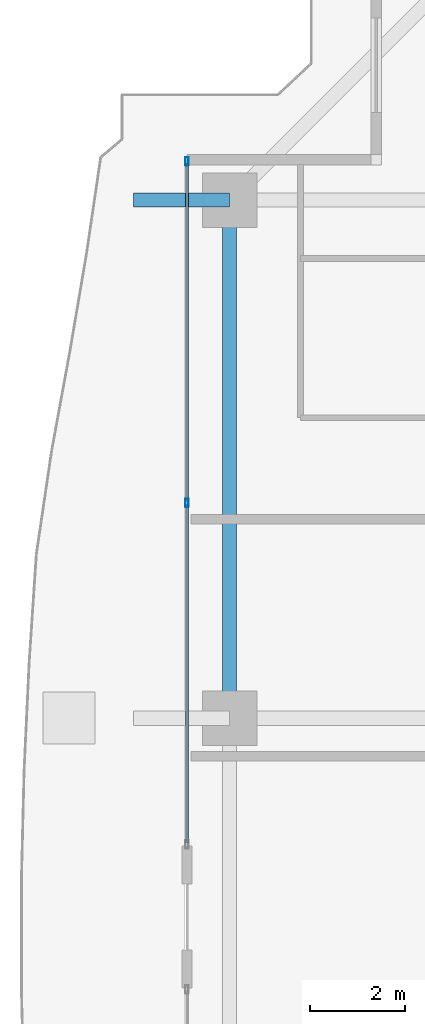
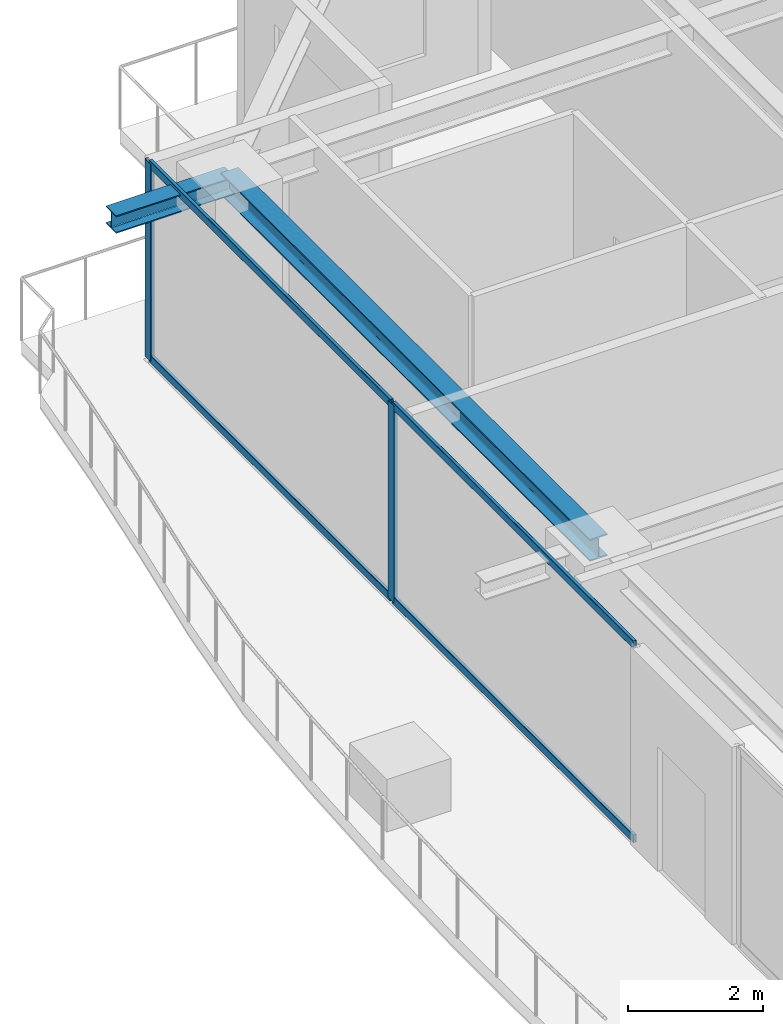
# One storey, part 17 of 36: 6 members, 2 beams, 1 element without a shape of its own.
"""IFC4 building model written with IfcOpenShell, lengths in metres."""

from ifc_helpers import new_model, si_unit, direction, frame, origin, origin_2d, place, context, subcontext, project, spatial, hollow_rectangle, i_section, extrude, source, transform, mapped, material, layer, layer_set, material_profile, profile_set, type_object, element, aggregate, save


model = new_model("IFC4")

# Units and contexts
model_context = context("Model", 3, precision=1e-05, world=origin(), true_north=direction((0.0, 1.0)))
body_context = subcontext(model_context, "Body", "Model", "MODEL_VIEW")
ifc_project = project(units=[si_unit("LENGTHUNIT", "METRE"), si_unit("AREAUNIT", "SQUARE_METRE"), si_unit("VOLUMEUNIT", "CUBIC_METRE"), si_unit("PLANEANGLEUNIT", "RADIAN"), si_unit("MASSUNIT", "GRAM", prefix="KILO")], contexts=[model_context])

# Site, building, storey
site_placement = place(None, origin())
site = spatial("IfcSite", under=ifc_project, at=site_placement, CompositionType="ELEMENT")
building_placement = place(site_placement, origin())
building = spatial("IfcBuilding", under=site, at=building_placement, Name="Serunith Strait Residences", CompositionType="ELEMENT")
storey_placement = place(building_placement, frame((0.0, 0.0, 256.64990234375)))
storey = spatial("IfcBuildingStorey", under=building, at=storey_placement, Name="L64", CompositionType="ELEMENT", Elevation=256.64990234375)

# Beams
ifc_material_1 = material(Name="Steel S355J2", Category="steel")
ifc_material_profile_1 = material_profile(ifc_material_1, i_section(OverallWidth=0.300048828125, OverallDepth=0.39990234375, WebThickness=0.013427734375, FlangeThickness=0.02392578125, FilletRadius=0.027099609375, at=origin_2d()), Name="HEB 400")
ifc_profile_set_1 = profile_set([ifc_material_profile_1], Name="Steel S355J2")
beam_type_1 = type_object("IfcBeamType", Name="BM-HEB400", PredefinedType="BEAM", material=ifc_profile_set_1)
shared_shape_1 = source(origin(), body_context, "Body", "SweptSolid", [
    extrude(i_section(OverallWidth=0.300048828125, OverallDepth=0.39990234375, WebThickness=0.013427734375, FlangeThickness=0.02392578125, FilletRadius=0.027099609375, at=origin_2d()), origin(), (0.0, 0.0, 1.0), 10.9501953125),
])
beam_1_placement = place(storey_placement, frame((8.300048828125, 40.35009765625, 3.38720703125), z_axis=(0.0, -1.0, 0.0), x_axis=(1.0, 0.0, 0.0)))
element("IfcBeam", 1, at=beam_1_placement, inside=storey, type_object=beam_type_1, Name="L64 Perimeter Ring Beam 13", PredefinedType="BEAM", context=body_context, shape_type="MappedRepresentation", body=[
    mapped(shared_shape_1, transform((0.0, 0.0, 0.0), scale=1.0)),
])
ifc_material_profile_2 = material_profile(ifc_material_1, i_section(OverallWidth=0.300048828125, OverallDepth=0.320068359375, WebThickness=0.011474609375, FlangeThickness=0.0205078125, FilletRadius=0.027099609375, at=origin_2d()), Name="HEB 320")
ifc_profile_set_2 = profile_set([ifc_material_profile_2], Name="Steel S355J2")
beam_type_2 = type_object("IfcBeamType", Name="BM-HEB320", PredefinedType="BEAM", material=ifc_profile_set_2)
shared_shape_2 = source(origin(), body_context, "Body", "SweptSolid", [
    extrude(i_section(OverallWidth=0.300048828125, OverallDepth=0.320068359375, WebThickness=0.011474609375, FlangeThickness=0.0205078125, FilletRadius=0.027099609375, at=origin_2d()), origin(), (0.0, 0.0, 1.0), 2.030029296875),
])
beam_2_placement = place(storey_placement, frame((8.300048828125, 40.35009765625, 3.397216796875), z_axis=(-1.0, 0.0, 0.0), x_axis=(0.0, -1.0, 0.0)))
element("IfcBeam", 2, at=beam_2_placement, inside=storey, type_object=beam_type_2, Name="L65 Cantilevered Balcony Rib TC-W4", PredefinedType="BEAM", context=body_context, shape_type="MappedRepresentation", body=[
    mapped(shared_shape_2, transform((0.0, 0.0, 0.0), scale=1.0)),
])

# Curtain wall, members
ifc_material_2 = material(Name="Pale-Champagne Anodised Aluminium", Category="aluminium")
ifc_layer = layer(ifc_material_2, 0.199951171875, Name="Pale-Champagne Anodised Aluminium")
ifc_layer_set = layer_set([ifc_layer], Name="Pale-Champagne Anodised Aluminium")
curtain_wall_type = type_object("IfcCurtainWallType", Name="CW-SYS4", PredefinedType="NOTDEFINED", material=ifc_layer_set)
curtain_wall_placement = place(storey_placement, origin())
curtain_wall = element("IfcCurtainWall", 3, at=curtain_wall_placement, inside=storey, type_object=curtain_wall_type, Name="L64 W Unitised Fritted Curtain Wall", PredefinedType="NOTDEFINED")
ifc_material_profile_3 = material_profile(ifc_material_2, hollow_rectangle(XDim=0.06005859375, YDim=0.139892578125, WallThickness=0.00341796875, InnerFilletRadius=0.00537109375, OuterFilletRadius=0.0087890625, at=origin_2d()), Name="ALU 140x60x3.5")
ifc_profile_set_3 = profile_set([ifc_material_profile_3], Name="Pale-Champagne Anodised Aluminium")
member_type_1 = type_object("IfcMemberType", Name="CW-SYS4-TRAN", PredefinedType="USERDEFINED", material=ifc_profile_set_3)
shared_shape_3 = source(origin(), body_context, "Body", "SweptSolid", [
    extrude(hollow_rectangle(XDim=0.06005859375, YDim=0.139892578125, WallThickness=0.00341796875, InnerFilletRadius=0.00537109375, OuterFilletRadius=0.0087890625, at=origin_2d()), origin(), (0.0, 0.0, 1.0), 7.152587890625),
])
member_1_placement = place(storey_placement, frame((7.39990234375, 41.135009765625, 0.030029296875), z_axis=(0.0, -1.0, 0.0), x_axis=(1.0, 0.0, 0.0)))
member_1 = element("IfcMember", 4, at=member_1_placement, type_object=member_type_1, Name="CW-4 transom 1.1", ObjectType="TRANSOM", PredefinedType="USERDEFINED", context=body_context, shape_type="MappedRepresentation", body=[
    mapped(shared_shape_3, transform((0.0, 0.0, 0.0), scale=1.0)),
])
member_2_placement = place(storey_placement, frame((7.39990234375, 41.135009765625, 3.545166015625), z_axis=(0.0, -1.0, 0.0), x_axis=(1.0, 0.0, 0.0)))
member_2 = element("IfcMember", 5, at=member_2_placement, type_object=member_type_1, Name="CW-4 transom 1.2", ObjectType="TRANSOM", PredefinedType="USERDEFINED", context=body_context, shape_type="MappedRepresentation", body=[
    mapped(shared_shape_3, transform((0.0, 0.0, 0.0), scale=1.0)),
])
member_3_placement = place(storey_placement, frame((7.39990234375, 33.91748046875, 0.030029296875), z_axis=(0.0, -1.0, 0.0), x_axis=(1.0, 0.0, 0.0)))
member_3 = element("IfcMember", 6, at=member_3_placement, type_object=member_type_1, Name="CW-4 transom 2.1", ObjectType="TRANSOM", PredefinedType="USERDEFINED", context=body_context, shape_type="MappedRepresentation", body=[
    mapped(shared_shape_3, transform((0.0, 0.0, 0.0), scale=1.0)),
])
member_4_placement = place(storey_placement, frame((7.39990234375, 33.91748046875, 3.545166015625), z_axis=(0.0, -1.0, 0.0), x_axis=(1.0, 0.0, 0.0)))
member_4 = element("IfcMember", 7, at=member_4_placement, type_object=member_type_1, Name="CW-4 transom 2.2", ObjectType="TRANSOM", PredefinedType="USERDEFINED", context=body_context, shape_type="MappedRepresentation", body=[
    mapped(shared_shape_3, transform((0.0, 0.0, 0.0), scale=1.0)),
])
ifc_material_profile_4 = material_profile(ifc_material_2, hollow_rectangle(XDim=0.06494140625, YDim=0.179931640625, WallThickness=0.00341796875, InnerFilletRadius=0.00537109375, OuterFilletRadius=0.0087890625, at=origin_2d()), Name="ALU 180x65x3.5")
ifc_profile_set_4 = profile_set([ifc_material_profile_4], Name="Pale-Champagne Anodised Aluminium")
member_type_2 = type_object("IfcMemberType", Name="CW-SYS4-MULL", PredefinedType="MULLION", material=ifc_profile_set_4)
shared_shape_4 = source(origin(), body_context, "Body", "SweptSolid", [
    extrude(hollow_rectangle(XDim=0.06494140625, YDim=0.179931640625, WallThickness=0.00341796875, InnerFilletRadius=0.00537109375, OuterFilletRadius=0.0087890625, at=origin_2d()), origin(), (0.0, 0.0, 1.0), 3.5751953125),
])
member_5_placement = place(storey_placement, frame((7.39990234375, 41.16748046875, 0.0), z_axis=(0.0, 0.0, 1.0), x_axis=(1.0, 0.0, 0.0)))
member_5 = element("IfcMember", 8, at=member_5_placement, type_object=member_type_2, Name="CW-4 mullion 1", PredefinedType="MULLION", context=body_context, shape_type="MappedRepresentation", body=[
    mapped(shared_shape_4, transform((0.0, 0.0, 0.0), scale=1.0)),
])
member_6_placement = place(storey_placement, frame((7.39990234375, 33.949951171875, 0.0), z_axis=(0.0, 0.0, 1.0), x_axis=(1.0, 0.0, 0.0)))
member_6 = element("IfcMember", 9, at=member_6_placement, type_object=member_type_2, Name="CW-4 mullion 2", PredefinedType="MULLION", context=body_context, shape_type="MappedRepresentation", body=[
    mapped(shared_shape_4, transform((0.0, 0.0, 0.0), scale=1.0)),
])
aggregate(curtain_wall, [member_5, member_6, member_1, member_2, member_3, member_4])

save(model, "model.ifc")
